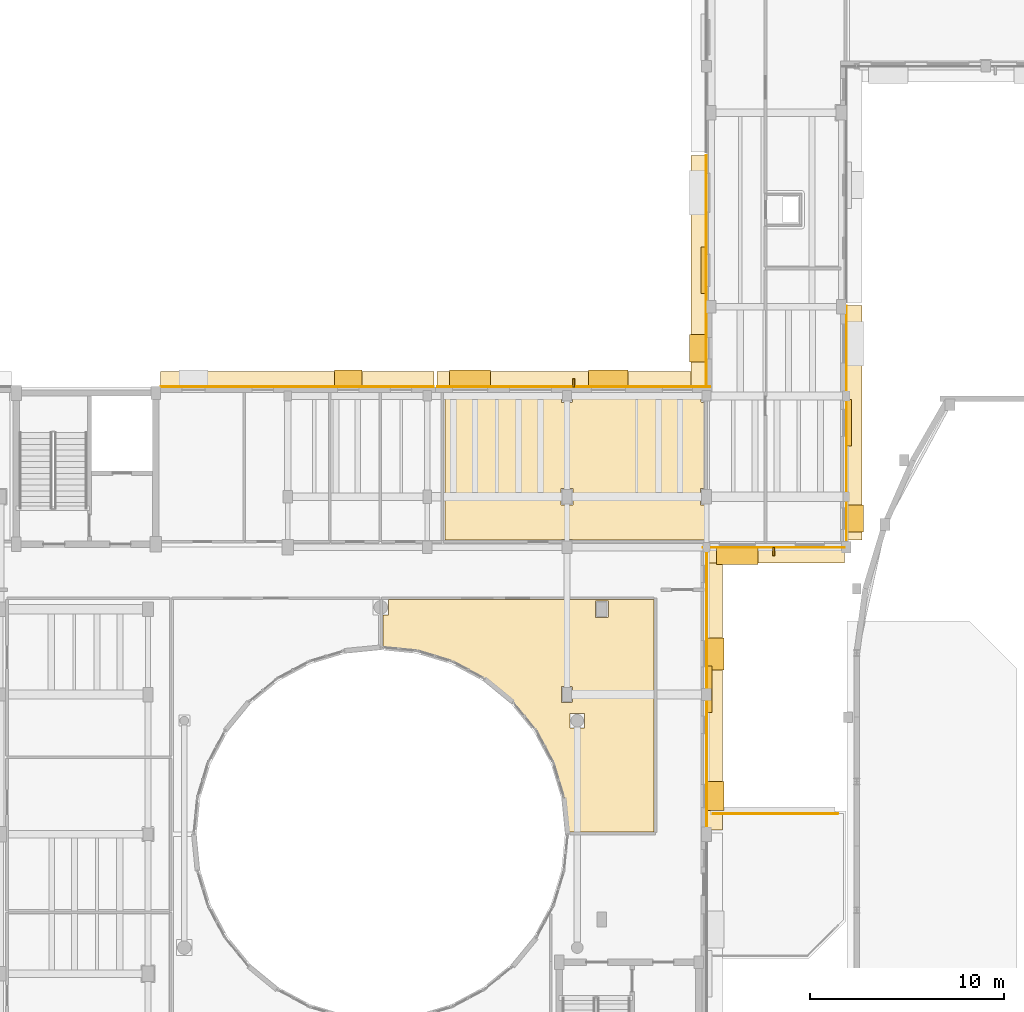
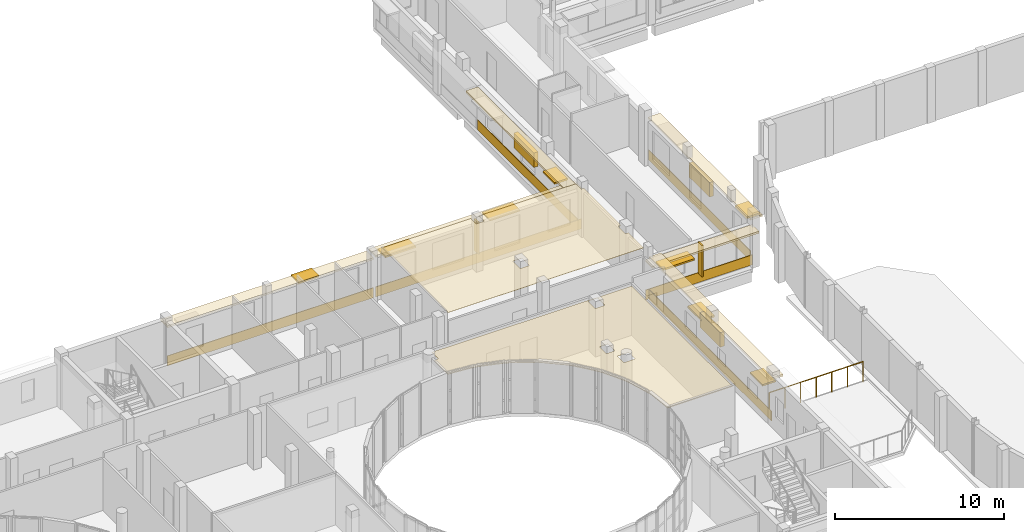
# One storey, part 85 of 89: 14 coverings, 13 shading devices, 1 railing.
"""IFC4 building model written with IfcOpenShell, lengths in metres."""

from ifc_helpers import new_model, si_unit, direction, frame, origin, origin_2d, place, context, subcontext, project, spatial, polyline, rectangle, circle, outline, extrude, material, layer, layer_set, type_object, element, save


model = new_model("IFC4")

# Units and contexts
model_context = context("Model", 3, precision=1e-05, world=origin(), true_north=direction((0.0, 1.0)))
body_context = subcontext(model_context, "Body", "Model", "MODEL_VIEW")
ifc_project = project(units=[si_unit("LENGTHUNIT", "METRE"), si_unit("AREAUNIT", "SQUARE_METRE"), si_unit("VOLUMEUNIT", "CUBIC_METRE"), si_unit("PLANEANGLEUNIT", "RADIAN"), si_unit("MASSUNIT", "GRAM", prefix="KILO")], contexts=[model_context])

# Site, building, storey
site_placement = place(None, origin())
site = spatial("IfcSite", under=ifc_project, at=site_placement, CompositionType="ELEMENT")
building_placement = place(site_placement, origin())
building = spatial("IfcBuilding", under=site, at=building_placement, Name="Kelanivale Promenade Academy", CompositionType="ELEMENT")
storey_placement = place(building_placement, frame((0.0, 0.0, 12.199951171875)))
storey = spatial("IfcBuildingStorey", under=building, at=storey_placement, Name="L03", CompositionType="ELEMENT", Elevation=12.199951171875)

# Coverings
ifc_material_1 = material(Name="Warm ivory Art Deco stucco frieze band 40 mm", Category="masonry")
ifc_layer_1 = layer(ifc_material_1, 0.0400390625)
ifc_layer_set_1 = layer_set([ifc_layer_1], Name="Warm ivory Art Deco stucco frieze band 40 mm")
covering_type_1 = type_object("IfcCoveringType", Name="COV-CLD2 Warm ivory Art Deco stucco frieze ba", PredefinedType="CLADDING", material=ifc_layer_set_1)
covering_1_placement = place(storey_placement, frame((116.0, 64.27001953125, 3.01513671875), z_axis=(0.0, 0.0, 1.0), x_axis=(0.0, 1.0, 0.0)))
element("IfcCovering", 1, at=covering_1_placement, inside=storey, type_object=covering_type_1, Name="Art Deco projecting 820 mm streamline sunshade eyebrow ledge", PredefinedType="CLADDING", context=body_context, shape_type="SweptSolid", body=[
    extrude(rectangle(XDim=14.5, YDim=0.820068359375, at=origin_2d()), origin(), (0.0, 0.0, 1.0), 0.139892578125),
])
covering_2_placement = place(storey_placement, frame((115.614990234375, 64.27001953125, 0.06005859375), z_axis=(0.0, 0.0, 1.0), x_axis=(0.0, 1.0, 0.0)))
element("IfcCovering", 2, at=covering_2_placement, inside=storey, type_object=covering_type_1, Name="Art Deco ivory stucco sill frieze band", PredefinedType="CLADDING", context=body_context, shape_type="SweptSolid", body=[
    extrude(rectangle(XDim=14.5, YDim=0.0400390625, at=origin_2d()), origin(), (0.0, 0.0, 1.0), 0.719970703125),
])
covering_3_placement = place(storey_placement, frame((119.06005859375, 71.199951171875, 2.80517578125), z_axis=(0.0, 0.0, 1.0), x_axis=(1.0, 0.0, 0.0)))
element("IfcCovering", 3, at=covering_3_placement, inside=storey, type_object=covering_type_1, Name="Art Deco projecting 820 mm streamline sunshade eyebrow ledge", PredefinedType="CLADDING", context=body_context, shape_type="SweptSolid", body=[
    extrude(rectangle(XDim=7.320068359375, YDim=0.820068359375, at=origin_2d()), origin(), (0.0, 0.0, 1.0), 0.139892578125),
])
covering_4_placement = place(storey_placement, frame((119.06005859375, 71.5849609375, 0.06005859375), z_axis=(0.0, 0.0, 1.0), x_axis=(1.0, 0.0, 0.0)))
element("IfcCovering", 4, at=covering_4_placement, inside=storey, type_object=covering_type_1, Name="Art Deco ivory stucco sill frieze band", PredefinedType="CLADDING", context=body_context, shape_type="SweptSolid", body=[
    extrude(rectangle(XDim=7.320068359375, YDim=0.0400390625, at=origin_2d()), origin(), (0.0, 0.0, 1.0), 0.719970703125),
])
covering_5_placement = place(storey_placement, frame((123.199951171875, 78.010009765625, 3.0048828125), z_axis=(0.0, 0.0, 1.0), x_axis=(0.0, 1.0, 0.0)))
element("IfcCovering", 5, at=covering_5_placement, inside=storey, type_object=covering_type_1, Name="Art Deco projecting 820 mm streamline sunshade eyebrow ledge", PredefinedType="CLADDING", context=body_context, shape_type="SweptSolid", body=[
    extrude(rectangle(XDim=12.10009765625, YDim=0.820068359375, at=origin_2d()), origin(), (0.0, 0.0, 1.0), 0.139892578125),
])
covering_6_placement = place(storey_placement, frame((122.81494140625, 78.010009765625, 0.06005859375), z_axis=(0.0, 0.0, 1.0), x_axis=(0.0, 1.0, 0.0)))
element("IfcCovering", 6, at=covering_6_placement, inside=storey, type_object=covering_type_1, Name="Art Deco ivory stucco sill frieze band", PredefinedType="CLADDING", context=body_context, shape_type="SweptSolid", body=[
    extrude(rectangle(XDim=12.10009765625, YDim=0.0400390625, at=origin_2d()), origin(), (0.0, 0.0, 1.0), 0.719970703125),
])
covering_7_placement = place(storey_placement, frame((115.199951171875, 85.867919921875, 3.0048828125), z_axis=(0.0, 0.0, 1.0), x_axis=(0.0, -1.0, 0.0)))
element("IfcCovering", 7, at=covering_7_placement, inside=storey, type_object=covering_type_1, Name="Art Deco projecting 820 mm streamline sunshade eyebrow ledge", PredefinedType="CLADDING", context=body_context, shape_type="SweptSolid", body=[
    extrude(rectangle(XDim=11.875, YDim=0.820068359375, at=origin_2d()), origin(), (0.0, 0.0, 1.0), 0.139892578125),
])
covering_8_placement = place(storey_placement, frame((115.5849609375, 85.867919921875, 0.06005859375), z_axis=(0.0, 0.0, 1.0), x_axis=(0.0, -1.0, 0.0)))
element("IfcCovering", 8, at=covering_8_placement, inside=storey, type_object=covering_type_1, Name="Art Deco ivory stucco sill frieze band", PredefinedType="CLADDING", context=body_context, shape_type="SweptSolid", body=[
    extrude(rectangle(XDim=11.875, YDim=0.0400390625, at=origin_2d()), origin(), (0.0, 0.0, 1.0), 0.719970703125),
])
covering_9_placement = place(storey_placement, frame((108.7509765625, 80.25, 2.9150390625), z_axis=(0.0, 0.0, 1.0), x_axis=(-1.0, 0.0, 0.0)))
element("IfcCovering", 9, at=covering_9_placement, inside=storey, type_object=covering_type_1, Name="Art Deco projecting 820 mm streamline sunshade eyebrow ledge", PredefinedType="CLADDING", context=body_context, shape_type="SweptSolid", body=[
    extrude(rectangle(XDim=14.096923828125, YDim=0.820068359375, at=origin_2d()), origin(), (0.0, 0.0, 1.0), 0.139892578125),
])
covering_10_placement = place(storey_placement, frame((108.7509765625, 79.864990234375, 0.06005859375), z_axis=(0.0, 0.0, 1.0), x_axis=(-1.0, 0.0, 0.0)))
element("IfcCovering", 10, at=covering_10_placement, inside=storey, type_object=covering_type_1, Name="Art Deco ivory stucco sill frieze band", PredefinedType="CLADDING", context=body_context, shape_type="SweptSolid", body=[
    extrude(rectangle(XDim=14.096923828125, YDim=0.0400390625, at=origin_2d()), origin(), (0.0, 0.0, 1.0), 0.719970703125),
])
covering_11_placement = place(storey_placement, frame((94.493896484375, 80.25, 2.81494140625), z_axis=(0.0, 0.0, 1.0), x_axis=(-1.0, 0.0, 0.0)))
element("IfcCovering", 11, at=covering_11_placement, inside=storey, type_object=covering_type_1, Name="Art Deco projecting 820 mm streamline sunshade eyebrow ledge", PredefinedType="CLADDING", context=body_context, shape_type="SweptSolid", body=[
    extrude(rectangle(XDim=14.097900390625, YDim=0.820068359375, at=origin_2d()), origin(), (0.0, 0.0, 1.0), 0.139892578125),
])
covering_12_placement = place(storey_placement, frame((94.493896484375, 79.864990234375, 0.06005859375), z_axis=(0.0, 0.0, 1.0), x_axis=(-1.0, 0.0, 0.0)))
element("IfcCovering", 12, at=covering_12_placement, inside=storey, type_object=covering_type_1, Name="Art Deco ivory stucco sill frieze band", PredefinedType="CLADDING", context=body_context, shape_type="SweptSolid", body=[
    extrude(rectangle(XDim=14.097900390625, YDim=0.0400390625, at=origin_2d()), origin(), (0.0, 0.0, 1.0), 0.719970703125),
])
ifc_material_2 = material(Name="Acoustic mineral-fibre ceiling tile 25 mm", Category="gypsum")
ifc_layer_2 = layer(ifc_material_2, 0.02490234375)
ifc_layer_set_2 = layer_set([ifc_layer_2], Name="Acoustic mineral-fibre ceiling tile 25 mm")
covering_type_2 = type_object("IfcCoveringType", Name="COV-CLG1 Acoustic mineral-fibre ceiling tile ", PredefinedType="CEILING", material=ifc_layer_set_2)
covering_13_placement = place(storey_placement, frame((0.0, 0.0, 3.550048828125)))
element("IfcCovering", 13, at=covering_13_placement, inside=storey, type_object=covering_type_2, Name="Art Studio East B acoustic suspended ceiling", PredefinedType="CEILING", context=body_context, shape_type="SweptSolid", body=[
    extrude(outline(polyline([(105.632080078125, 63.615966796875), (105.636962890625, 63.610107421875), (106.81201171875, 62.177001953125), (106.81298828125, 62.175048828125), (106.820068359375, 62.166015625), (106.825927734375, 62.157958984375), (106.83203125, 62.14794921875), (106.833984375, 62.14501953125), (107.70703125, 60.510009765625), (107.7080078125, 60.508056640625), (107.712890625, 60.498046875), (107.716064453125, 60.489013671875), (107.719970703125, 60.47802734375), (107.721923828125, 60.47412109375), (108.260009765625, 58.700927734375), (108.261962890625, 58.69189453125), (108.263916015625, 58.680908203125), (108.263916015625, 58.679931640625), (108.26611328125, 58.66796875), (108.26708984375, 58.6630859375), (108.43896484375, 56.909912109375), (112.889892578125, 56.909912109375), (112.889892578125, 68.889892578125), (99.205078125, 68.889892578125), (99.205078125, 68.888916015625), (99.20703125, 68.885009765625), (99.2080078125, 68.882080078125), (99.208984375, 68.8779296875), (99.2099609375, 68.8740234375), (99.2099609375, 68.8701171875), (99.2099609375, 68.1298828125), (99.2099609375, 68.1259765625), (99.208984375, 68.1220703125), (99.2080078125, 68.117919921875), (99.20703125, 68.114990234375), (99.205078125, 68.111083984375), (99.202880859375, 68.10791015625), (99.200927734375, 68.10498046875), (99.197998046875, 68.10205078125), (99.195068359375, 68.09912109375), (99.19189453125, 68.096923828125), (99.18896484375, 68.094970703125), (99.18505859375, 68.093017578125), (99.181884765625, 68.092041015625), (99.177978515625, 68.091064453125), (99.174072265625, 68.090087890625), (99.169921875, 68.090087890625), (98.909912109375, 68.090087890625), (98.909912109375, 66.43896484375), (100.6630859375, 66.26708984375), (100.66796875, 66.26611328125), (100.679931640625, 66.263916015625), (100.680908203125, 66.263916015625), (100.69189453125, 66.261962890625), (100.700927734375, 66.260009765625), (102.47412109375, 65.721923828125), (102.47802734375, 65.719970703125), (102.489013671875, 65.716064453125), (102.498046875, 65.712890625), (102.508056640625, 65.7080078125), (102.510009765625, 65.70703125), (104.14501953125, 64.833984375), (104.14794921875, 64.83203125), (104.157958984375, 64.825927734375), (104.166015625, 64.820068359375), (104.175048828125, 64.81298828125), (104.177001953125, 64.81201171875), (105.610107421875, 63.636962890625), (105.615966796875, 63.632080078125), (105.6240234375, 63.6240234375), (105.632080078125, 63.615966796875)]), holes=[polyline([(110.534912109375, 68.0048828125), (110.534912109375, 68.0009765625), (110.533935546875, 67.9970703125), (110.532958984375, 67.992919921875), (110.531982421875, 67.989990234375), (110.530029296875, 67.986083984375), (110.528076171875, 67.98291015625), (110.52587890625, 67.97998046875), (110.52294921875, 67.97705078125), (110.52001953125, 67.97412109375), (110.51708984375, 67.971923828125), (110.513916015625, 67.969970703125), (110.510009765625, 67.968017578125), (110.507080078125, 67.967041015625), (110.5029296875, 67.966064453125), (110.4990234375, 67.965087890625), (110.4951171875, 67.965087890625), (109.905029296875, 67.965087890625), (109.90087890625, 67.965087890625), (109.89697265625, 67.966064453125), (109.89306640625, 67.967041015625), (109.889892578125, 67.968017578125), (109.885986328125, 67.969970703125), (109.883056640625, 67.971923828125), (109.8798828125, 67.97412109375), (109.876953125, 67.97705078125), (109.8740234375, 67.97998046875), (109.8720703125, 67.98291015625), (109.8701171875, 67.986083984375), (109.867919921875, 67.989990234375), (109.866943359375, 67.992919921875), (109.865966796875, 67.9970703125), (109.864990234375, 68.0009765625), (109.864990234375, 68.0048828125), (109.864990234375, 68.794921875), (109.864990234375, 68.799072265625), (109.865966796875, 68.802978515625), (109.866943359375, 68.806884765625), (109.867919921875, 68.81005859375), (109.8701171875, 68.81396484375), (109.8720703125, 68.81689453125), (109.8740234375, 68.820068359375), (109.876953125, 68.822998046875), (109.8798828125, 68.825927734375), (109.883056640625, 68.827880859375), (109.885986328125, 68.830078125), (109.889892578125, 68.83203125), (109.89306640625, 68.8330078125), (109.89697265625, 68.833984375), (109.90087890625, 68.8349609375), (109.905029296875, 68.8349609375), (110.4951171875, 68.8349609375), (110.4990234375, 68.8349609375), (110.5029296875, 68.833984375), (110.507080078125, 68.8330078125), (110.510009765625, 68.83203125), (110.513916015625, 68.830078125), (110.51708984375, 68.827880859375), (110.52001953125, 68.825927734375), (110.52294921875, 68.822998046875), (110.52587890625, 68.820068359375), (110.528076171875, 68.81689453125), (110.530029296875, 68.81396484375), (110.531982421875, 68.81005859375), (110.532958984375, 68.806884765625), (110.533935546875, 68.802978515625), (110.534912109375, 68.799072265625), (110.534912109375, 68.794921875), (110.534912109375, 68.0048828125)]), polyline([(109.277099609375, 63.034912109375), (109.281005859375, 63.034912109375), (109.284912109375, 63.033935546875), (109.2890625, 63.032958984375), (109.2919921875, 63.031982421875), (109.2958984375, 63.030029296875), (109.299072265625, 63.028076171875), (109.302001953125, 63.02587890625), (109.304931640625, 63.02294921875), (109.30810546875, 63.02001953125), (109.31005859375, 63.01708984375), (109.31201171875, 63.013916015625), (109.31396484375, 63.010009765625), (109.31494140625, 63.007080078125), (109.31591796875, 63.0029296875), (109.31689453125, 62.9990234375), (109.31689453125, 62.9951171875), (109.31689453125, 62.304931640625), (109.31689453125, 62.301025390625), (109.31591796875, 62.297119140625), (109.31494140625, 62.29296875), (109.31396484375, 62.2900390625), (109.31201171875, 62.285888671875), (109.31005859375, 62.282958984375), (109.30810546875, 62.280029296875), (109.304931640625, 62.277099609375), (109.302001953125, 62.27392578125), (109.299072265625, 62.27197265625), (109.2958984375, 62.27001953125), (109.2919921875, 62.26806640625), (109.2890625, 62.26708984375), (109.284912109375, 62.26611328125), (109.281005859375, 62.264892578125), (109.277099609375, 62.264892578125), (108.5869140625, 62.264892578125), (108.5830078125, 62.264892578125), (108.5791015625, 62.26611328125), (108.574951171875, 62.26708984375), (108.572021484375, 62.26806640625), (108.568115234375, 62.27001953125), (108.56494140625, 62.27197265625), (108.56201171875, 62.27392578125), (108.55908203125, 62.277099609375), (108.555908203125, 62.280029296875), (108.553955078125, 62.282958984375), (108.552001953125, 62.285888671875), (108.550048828125, 62.2900390625), (108.549072265625, 62.29296875), (108.548095703125, 62.297119140625), (108.547119140625, 62.301025390625), (108.547119140625, 62.304931640625), (108.547119140625, 62.9951171875), (108.547119140625, 62.9990234375), (108.548095703125, 63.0029296875), (108.549072265625, 63.007080078125), (108.550048828125, 63.010009765625), (108.552001953125, 63.013916015625), (108.553955078125, 63.01708984375), (108.555908203125, 63.02001953125), (108.55908203125, 63.02294921875), (108.56201171875, 63.02587890625), (108.56494140625, 63.028076171875), (108.568115234375, 63.030029296875), (108.572021484375, 63.031982421875), (108.574951171875, 63.032958984375), (108.5791015625, 63.033935546875), (108.5830078125, 63.034912109375), (108.5869140625, 63.034912109375), (109.277099609375, 63.034912109375)]), polyline([(108.68505859375, 63.6298828125), (108.68505859375, 63.6259765625), (108.68408203125, 63.6220703125), (108.68310546875, 63.617919921875), (108.681884765625, 63.614990234375), (108.679931640625, 63.611083984375), (108.677978515625, 63.60791015625), (108.676025390625, 63.60498046875), (108.673095703125, 63.60205078125), (108.669921875, 63.59912109375), (108.6669921875, 63.596923828125), (108.6640625, 63.594970703125), (108.659912109375, 63.593017578125), (108.656982421875, 63.592041015625), (108.653076171875, 63.591064453125), (108.64892578125, 63.590087890625), (108.64501953125, 63.590087890625), (108.155029296875, 63.590087890625), (108.15087890625, 63.590087890625), (108.14697265625, 63.591064453125), (108.14306640625, 63.592041015625), (108.139892578125, 63.593017578125), (108.135986328125, 63.594970703125), (108.133056640625, 63.596923828125), (108.1298828125, 63.59912109375), (108.126953125, 63.60205078125), (108.1240234375, 63.60498046875), (108.1220703125, 63.60791015625), (108.1201171875, 63.611083984375), (108.117919921875, 63.614990234375), (108.116943359375, 63.617919921875), (108.115966796875, 63.6220703125), (108.114990234375, 63.6259765625), (108.114990234375, 63.6298828125), (108.114990234375, 64.3701171875), (108.114990234375, 64.3740234375), (108.115966796875, 64.3779296875), (108.116943359375, 64.382080078125), (108.117919921875, 64.385009765625), (108.1201171875, 64.388916015625), (108.1220703125, 64.39208984375), (108.1240234375, 64.39501953125), (108.126953125, 64.39794921875), (108.1298828125, 64.40087890625), (108.133056640625, 64.403076171875), (108.135986328125, 64.405029296875), (108.139892578125, 64.406982421875), (108.14306640625, 64.407958984375), (108.14697265625, 64.408935546875), (108.15087890625, 64.409912109375), (108.155029296875, 64.409912109375), (108.64501953125, 64.409912109375), (108.64892578125, 64.409912109375), (108.653076171875, 64.408935546875), (108.656982421875, 64.407958984375), (108.659912109375, 64.406982421875), (108.6640625, 64.405029296875), (108.6669921875, 64.403076171875), (108.669921875, 64.40087890625), (108.673095703125, 64.39794921875), (108.676025390625, 64.39501953125), (108.677978515625, 64.39208984375), (108.679931640625, 64.388916015625), (108.681884765625, 64.385009765625), (108.68310546875, 64.382080078125), (108.68408203125, 64.3779296875), (108.68505859375, 64.3740234375), (108.68505859375, 64.3701171875), (108.68505859375, 63.6298828125)])]), origin(), (0.0, 0.0, 1.0), 0.02490234375),
])
covering_14_placement = place(storey_placement, frame((0.0, 0.0, 3.550048828125)))
element("IfcCovering", 14, at=covering_14_placement, inside=storey, type_object=covering_type_2, Name="Secondary Classroom North East acoustic suspended ceiling", PredefinedType="CEILING", context=body_context, shape_type="SweptSolid", body=[
    extrude(outline(polyline([(115.489990234375, 79.06494140625), (115.35498046875, 79.06494140625), (115.35107421875, 79.06494140625), (115.346923828125, 79.06591796875), (115.343017578125, 79.06689453125), (115.340087890625, 79.068115234375), (115.3359375, 79.070068359375), (115.3330078125, 79.072021484375), (115.330078125, 79.073974609375), (115.326904296875, 79.076904296875), (115.323974609375, 79.080078125), (115.322021484375, 79.0830078125), (115.320068359375, 79.0859375), (115.318115234375, 79.090087890625), (115.31689453125, 79.093017578125), (115.31591796875, 79.096923828125), (115.31494140625, 79.10107421875), (115.31494140625, 79.10498046875), (115.31494140625, 79.695068359375), (115.31494140625, 79.698974609375), (115.31494140625, 79.699951171875), (108.68505859375, 79.699951171875), (108.68505859375, 79.698974609375), (108.68505859375, 79.695068359375), (108.68505859375, 79.10498046875), (108.68505859375, 79.10107421875), (108.68408203125, 79.096923828125), (108.68310546875, 79.093017578125), (108.681884765625, 79.090087890625), (108.679931640625, 79.0859375), (108.677978515625, 79.0830078125), (108.676025390625, 79.080078125), (108.673095703125, 79.076904296875), (108.669921875, 79.073974609375), (108.6669921875, 79.072021484375), (108.6640625, 79.070068359375), (108.659912109375, 79.068115234375), (108.656982421875, 79.06689453125), (108.653076171875, 79.06591796875), (108.64892578125, 79.06494140625), (108.64501953125, 79.06494140625), (108.155029296875, 79.06494140625), (108.15087890625, 79.06494140625), (108.14697265625, 79.06591796875), (108.14306640625, 79.06689453125), (108.139892578125, 79.068115234375), (108.135986328125, 79.070068359375), (108.133056640625, 79.072021484375), (108.1298828125, 79.073974609375), (108.126953125, 79.076904296875), (108.1240234375, 79.080078125), (108.1220703125, 79.0830078125), (108.1201171875, 79.0859375), (108.117919921875, 79.090087890625), (108.116943359375, 79.093017578125), (108.115966796875, 79.096923828125), (108.114990234375, 79.10107421875), (108.114990234375, 79.10498046875), (108.114990234375, 79.695068359375), (108.114990234375, 79.698974609375), (108.114990234375, 79.699951171875), (102.110107421875, 79.699951171875), (102.110107421875, 71.9599609375), (108.093017578125, 71.9599609375), (108.093017578125, 71.9599609375), (108.094970703125, 71.964111328125), (108.096923828125, 71.967041015625), (108.09912109375, 71.969970703125), (108.10205078125, 71.972900390625), (108.10498046875, 71.97607421875), (108.10791015625, 71.97802734375), (108.111083984375, 71.97998046875), (108.114990234375, 71.98193359375), (108.117919921875, 71.98291015625), (108.1220703125, 71.98388671875), (108.1259765625, 71.985107421875), (108.1298828125, 71.985107421875), (108.669921875, 71.985107421875), (108.674072265625, 71.985107421875), (108.677978515625, 71.98388671875), (108.681884765625, 71.98291015625), (108.68505859375, 71.98193359375), (108.68896484375, 71.97998046875), (108.69189453125, 71.97802734375), (108.695068359375, 71.97607421875), (108.697998046875, 71.972900390625), (108.700927734375, 71.969970703125), (108.702880859375, 71.967041015625), (108.705078125, 71.964111328125), (108.70703125, 71.9599609375), (108.70703125, 71.9599609375), (115.489990234375, 71.9599609375), (115.489990234375, 73.764892578125), (115.330078125, 73.764892578125), (115.325927734375, 73.764892578125), (115.322021484375, 73.76611328125), (115.318115234375, 73.76708984375), (115.31494140625, 73.76806640625), (115.31103515625, 73.77001953125), (115.30810546875, 73.77197265625), (115.304931640625, 73.77392578125), (115.302001953125, 73.777099609375), (115.299072265625, 73.780029296875), (115.297119140625, 73.782958984375), (115.294921875, 73.785888671875), (115.29296875, 73.7900390625), (115.2919921875, 73.79296875), (115.291015625, 73.797119140625), (115.2900390625, 73.801025390625), (115.2900390625, 73.804931640625), (115.2900390625, 74.594970703125), (115.2900390625, 74.59912109375), (115.291015625, 74.60302734375), (115.2919921875, 74.60693359375), (115.29296875, 74.610107421875), (115.294921875, 74.614013671875), (115.297119140625, 74.616943359375), (115.299072265625, 74.6201171875), (115.302001953125, 74.623046875), (115.304931640625, 74.6259765625), (115.30810546875, 74.6279296875), (115.31103515625, 74.6298828125), (115.31494140625, 74.632080078125), (115.318115234375, 74.633056640625), (115.322021484375, 74.634033203125), (115.325927734375, 74.635009765625), (115.330078125, 74.635009765625), (115.489990234375, 74.635009765625), (115.489990234375, 79.06494140625)]), holes=[polyline([(108.7099609375, 73.804931640625), (108.7099609375, 73.801025390625), (108.708984375, 73.797119140625), (108.7080078125, 73.79296875), (108.70703125, 73.7900390625), (108.705078125, 73.785888671875), (108.702880859375, 73.782958984375), (108.700927734375, 73.780029296875), (108.697998046875, 73.777099609375), (108.695068359375, 73.77392578125), (108.69189453125, 73.77197265625), (108.68896484375, 73.77001953125), (108.68505859375, 73.76806640625), (108.681884765625, 73.76708984375), (108.677978515625, 73.76611328125), (108.674072265625, 73.764892578125), (108.669921875, 73.764892578125), (108.1298828125, 73.764892578125), (108.1259765625, 73.764892578125), (108.1220703125, 73.76611328125), (108.117919921875, 73.76708984375), (108.114990234375, 73.76806640625), (108.111083984375, 73.77001953125), (108.10791015625, 73.77197265625), (108.10498046875, 73.77392578125), (108.10205078125, 73.777099609375), (108.09912109375, 73.780029296875), (108.096923828125, 73.782958984375), (108.094970703125, 73.785888671875), (108.093017578125, 73.7900390625), (108.092041015625, 73.79296875), (108.091064453125, 73.797119140625), (108.090087890625, 73.801025390625), (108.090087890625, 73.804931640625), (108.090087890625, 74.594970703125), (108.090087890625, 74.59912109375), (108.091064453125, 74.60302734375), (108.092041015625, 74.60693359375), (108.093017578125, 74.610107421875), (108.094970703125, 74.614013671875), (108.096923828125, 74.616943359375), (108.09912109375, 74.6201171875), (108.10205078125, 74.623046875), (108.10498046875, 74.6259765625), (108.10791015625, 74.6279296875), (108.111083984375, 74.6298828125), (108.114990234375, 74.632080078125), (108.117919921875, 74.633056640625), (108.1220703125, 74.634033203125), (108.1259765625, 74.635009765625), (108.1298828125, 74.635009765625), (108.669921875, 74.635009765625), (108.674072265625, 74.635009765625), (108.677978515625, 74.634033203125), (108.681884765625, 74.633056640625), (108.68505859375, 74.632080078125), (108.68896484375, 74.6298828125), (108.69189453125, 74.6279296875), (108.695068359375, 74.6259765625), (108.697998046875, 74.623046875), (108.700927734375, 74.6201171875), (108.702880859375, 74.616943359375), (108.705078125, 74.614013671875), (108.70703125, 74.610107421875), (108.7080078125, 74.60693359375), (108.708984375, 74.60302734375), (108.7099609375, 74.59912109375), (108.7099609375, 74.594970703125), (108.7099609375, 73.804931640625)])]), origin(), (0.0, 0.0, 1.0), 0.02490234375),
])

# Railing
ifc_material_3 = material(Name="Powder-coated galvanized steel and stainless top rail", Category="steel")
railing_type = type_object("IfcRailingType", Name="GR-02 Play Deck Balustrade 1500mm", PredefinedType="BALUSTRADE", material=ifc_material_3)
railing_placement = place(storey_placement, frame((115.949951171875, 57.860107421875, 0.0)))
element("IfcRailing", 15, at=railing_placement, inside=storey, type_object=railing_type, Name="Assembly Hall Shoulder Observation Deck 1500 mm safety balustrade", PredefinedType="BALUSTRADE", context=body_context, shape_type="SweptSolid", body=[
    extrude(circle(Radius=0.02392578125, at=origin_2d()), frame((0.0, 0.0, 1.47607421875), z_axis=(1.0, 0.0, 0.0), x_axis=(0.0, 1.0, 0.0)), (0.0, 0.0, 1.0), 6.420166015625),
    extrude(circle(Radius=0.02099609375, at=origin_2d()), origin(), (0.0, 0.0, 1.0), 1.451904296875),
    extrude(circle(Radius=0.02099609375, at=origin_2d()), frame((1.070068359375, 0.0, 0.0)), (0.0, 0.0, 1.0), 1.451904296875),
    extrude(circle(Radius=0.02099609375, at=origin_2d()), frame((2.14013671875, 0.0, 0.0)), (0.0, 0.0, 1.0), 1.451904296875),
    extrude(circle(Radius=0.02099609375, at=origin_2d()), frame((3.2099609375, 0.0, 0.0)), (0.0, 0.0, 1.0), 1.451904296875),
    extrude(circle(Radius=0.02099609375, at=origin_2d()), frame((4.280029296875, 0.0, 0.0)), (0.0, 0.0, 1.0), 1.451904296875),
    extrude(circle(Radius=0.02099609375, at=origin_2d()), frame((5.35009765625, 0.0, 0.0)), (0.0, 0.0, 1.0), 1.451904296875),
    extrude(circle(Radius=0.02099609375, at=origin_2d()), frame((6.420166015625, 0.0, 0.0)), (0.0, 0.0, 1.0), 1.451904296875),
])

# Shading devices
ifc_material_4 = material(Name="Precast concrete C40/50", Category="concrete")
ifc_layer_3 = layer(ifc_material_4, 0.1201171875)
ifc_layer_set_3 = layer_set([ifc_layer_3], Name="Precast concrete C40/50")
shading_device_type_1 = type_object("IfcShadingDeviceType", Name="SHD-01 Art Deco Sunshade Eyebrow 900mm", PredefinedType="USERDEFINED", material=ifc_layer_set_3)
shading_device_1_placement = place(storey_placement, frame((116.0400390625, 58.77197265625, 1.9599609375), z_axis=(0.0, 0.0, 1.0), x_axis=(0.0, 1.0, 0.0)))
element("IfcShadingDevice", 16, at=shading_device_1_placement, inside=storey, type_object=shading_device_type_1, Name="Art Deco 900 mm precast chajja window sunshade", ObjectType="SUNSHADE", PredefinedType="USERDEFINED", context=body_context, shape_type="SweptSolid", body=[
    extrude(rectangle(XDim=1.5, YDim=0.89990234375, at=origin_2d()), origin(), (0.0, 0.0, 1.0), 0.1201171875),
])
shading_device_2_placement = place(storey_placement, frame((116.0400390625, 66.10205078125, 2.260009765625), z_axis=(0.0, 0.0, 1.0), x_axis=(0.0, 1.0, 0.0)))
element("IfcShadingDevice", 17, at=shading_device_2_placement, inside=storey, type_object=shading_device_type_1, Name="Art Deco 900 mm precast chajja window sunshade", ObjectType="SUNSHADE", PredefinedType="USERDEFINED", context=body_context, shape_type="SweptSolid", body=[
    extrude(rectangle(XDim=1.64990234375, YDim=0.89990234375, at=origin_2d()), origin(), (0.0, 0.0, 1.0), 0.1201171875),
])
shading_device_3_placement = place(storey_placement, frame((117.18994140625, 71.159912109375, 2.4599609375), z_axis=(0.0, 0.0, 1.0), x_axis=(1.0, 0.0, 0.0)))
element("IfcShadingDevice", 18, at=shading_device_3_placement, inside=storey, type_object=shading_device_type_1, Name="Art Deco 900 mm precast chajja window sunshade", ObjectType="SUNSHADE", PredefinedType="USERDEFINED", context=body_context, shape_type="SweptSolid", body=[
    extrude(rectangle(XDim=2.14990234375, YDim=0.89990234375, at=origin_2d()), origin(), (0.0, 0.0, 1.0), 0.1201171875),
])
for number, where, z_axis, x_axis, name in (
    (19, (123.239990234375, 73.072998046875, 2.860107421875), (0.0, 0.0, 1.0), (0.0, 1.0, 0.0), "Art Deco 900 mm precast chajja window sunshade"),
    (20, (115.159912109375, 81.85595703125, 2.860107421875), (0.0, 0.0, 1.0), (0.0, -1.0, 0.0), "Art Deco 900 mm precast chajja window sunshade"),
):
    element("IfcShadingDevice", number, at=place(storey_placement, frame(where, z_axis=z_axis, x_axis=x_axis)), inside=storey, type_object=shading_device_type_1, Name=name, ObjectType="SUNSHADE", PredefinedType="USERDEFINED", context=body_context, shape_type="SweptSolid", body=[
        extrude(rectangle(XDim=1.39990234375, YDim=0.89990234375, at=origin_2d()), origin(), (0.0, 0.0, 1.0), 0.1201171875),
    ])
shading_device_4_placement = place(storey_placement, frame((110.533935546875, 80.2900390625, 2.81005859375), z_axis=(0.0, 0.0, 1.0), x_axis=(-1.0, 0.0, 0.0)))
element("IfcShadingDevice", 21, at=shading_device_4_placement, inside=storey, type_object=shading_device_type_1, Name="Art Deco 900 mm precast chajja window sunshade", ObjectType="SUNSHADE", PredefinedType="USERDEFINED", context=body_context, shape_type="SweptSolid", body=[
    extrude(rectangle(XDim=2.050048828125, YDim=0.89990234375, at=origin_2d()), origin(), (0.0, 0.0, 1.0), 0.1201171875),
])
shading_device_5_placement = place(storey_placement, frame((103.405029296875, 80.2900390625, 2.659912109375), z_axis=(0.0, 0.0, 1.0), x_axis=(-1.0, 0.0, 0.0)))
element("IfcShadingDevice", 22, at=shading_device_5_placement, inside=storey, type_object=shading_device_type_1, Name="Art Deco 900 mm precast chajja window sunshade", ObjectType="SUNSHADE", PredefinedType="USERDEFINED", context=body_context, shape_type="SweptSolid", body=[
    extrude(rectangle(XDim=2.10009765625, YDim=0.89990234375, at=origin_2d()), origin(), (0.0, 0.0, 1.0), 0.1201171875),
])
shading_device_6_placement = place(storey_placement, frame((97.1259765625, 80.2900390625, 2.860107421875), z_axis=(0.0, 0.0, 1.0), x_axis=(-1.0, 0.0, 0.0)))
element("IfcShadingDevice", 23, at=shading_device_6_placement, inside=storey, type_object=shading_device_type_1, Name="Art Deco 900 mm precast chajja window sunshade", ObjectType="SUNSHADE", PredefinedType="USERDEFINED", context=body_context, shape_type="SweptSolid", body=[
    extrude(rectangle(XDim=1.39990234375, YDim=0.89990234375, at=origin_2d()), origin(), (0.0, 0.0, 1.0), 0.1201171875),
])
ifc_material_5 = material(Name="Bronze anodised aluminium EN AW-6063 T6", Category="aluminium")
ifc_layer_4 = layer(ifc_material_5, 0.080078125)
ifc_layer_set_4 = layer_set([ifc_layer_4], Name="Bronze anodised aluminium EN AW-6063 T6")
shading_device_type_2 = type_object("IfcShadingDeviceType", Name="SHD-02 Perforated Brise-Soleil Screen", PredefinedType="JALOUSIE", material=ifc_layer_set_4)
for number, where, z_axis, x_axis, name in (
    (24, (115.735107421875, 64.27001953125, 1.72509765625), (0.0, 0.0, 1.0), (0.0, 1.0, 0.0), "Perforated Art Deco brise-soleil louvre screen"),
    (25, (122.93505859375, 78.010009765625, 1.72509765625), (0.0, 0.0, 1.0), (0.0, 1.0, 0.0), "Perforated Art Deco brise-soleil louvre screen"),
    (26, (115.465087890625, 85.867919921875, 1.72509765625), (0.0, 0.0, 1.0), (0.0, -1.0, 0.0), "Perforated Art Deco brise-soleil louvre screen"),
):
    element("IfcShadingDevice", number, at=place(storey_placement, frame(where, z_axis=z_axis, x_axis=x_axis)), inside=storey, type_object=shading_device_type_2, Name=name, PredefinedType="JALOUSIE", context=body_context, shape_type="SweptSolid", body=[
        extrude(rectangle(XDim=2.39990234375, YDim=0.280029296875, at=origin_2d()), origin(), (0.0, 0.0, 1.0), 1.050048828125),
    ])
ifc_layer_5 = layer(ifc_material_5, 0.10009765625)
ifc_layer_set_5 = layer_set([ifc_layer_5], Name="Bronze anodised aluminium EN AW-6063 T6")
shading_device_type_3 = type_object("IfcShadingDeviceType", Name="SHD-03 Vertical Fluted Solar Fin", PredefinedType="USERDEFINED", material=ifc_layer_set_5)
for number, where, z_axis, x_axis, name in (
    (27, (119.06005859375, 71.3798828125, 0.7001953125), (0.0, 0.0, 1.0), (1.0, 0.0, 0.0), "Vertical fluted Art Deco solar fin"),
    (28, (108.7509765625, 80.070068359375, 0.7001953125), (0.0, 0.0, 1.0), (-1.0, 0.0, 0.0), "Vertical fluted Art Deco solar fin"),
):
    element("IfcShadingDevice", number, at=place(storey_placement, frame(where, z_axis=z_axis, x_axis=x_axis)), inside=storey, type_object=shading_device_type_3, Name=name, ObjectType="SOLAR FIN", PredefinedType="USERDEFINED", context=body_context, shape_type="SweptSolid", body=[
        extrude(rectangle(XDim=0.10009765625, YDim=0.449951171875, at=origin_2d()), origin(), (0.0, 0.0, 1.0), 2.300048828125),
    ])

save(model, "model.ifc")
